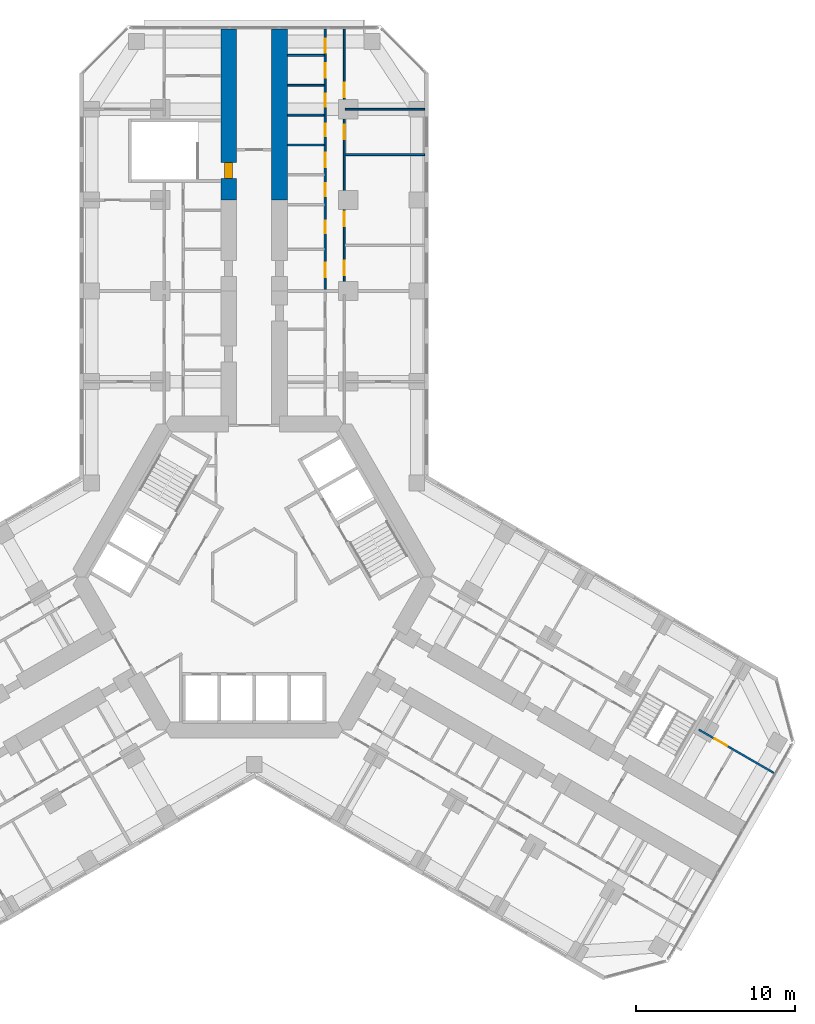
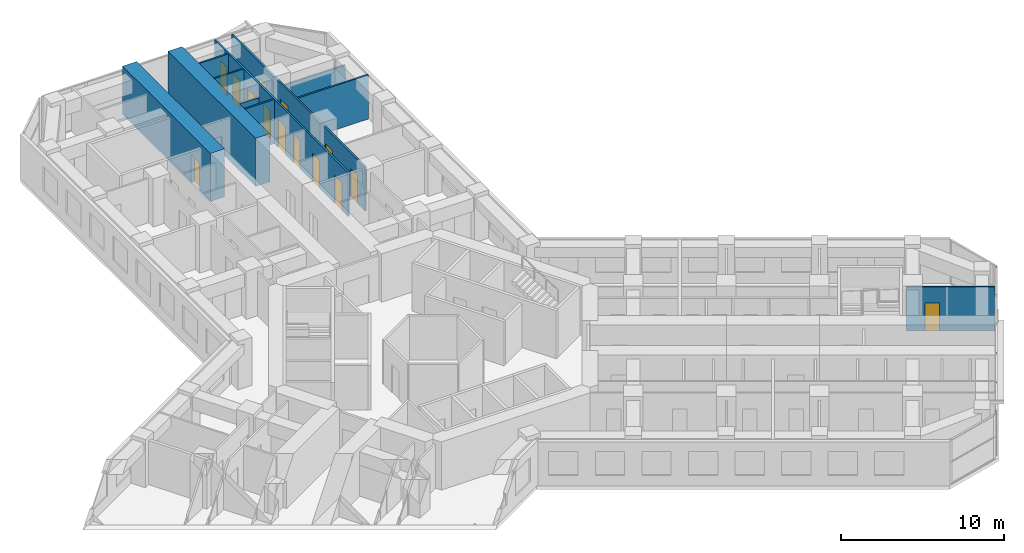
# One storey, part 19 of 21: 14 doors, 11 walls, 14 openings.
"""IFC4 building model written with IfcOpenShell, lengths in metres."""

from ifc_helpers import new_model, si_unit, direction, frame, frame_2d, origin, place, context, subcontext, project, spatial, rectangle, extrude, material, layer, layer_set, type_object, element, fill, save


model = new_model("IFC4")

# Units and contexts
model_context = context("Model", 3, precision=1e-05, world=origin(), true_north=direction((0.0, 1.0)))
body_context = subcontext(model_context, "Body", "Model", "MODEL_VIEW")
ifc_project = project(units=[si_unit("LENGTHUNIT", "METRE"), si_unit("AREAUNIT", "SQUARE_METRE"), si_unit("VOLUMEUNIT", "CUBIC_METRE"), si_unit("PLANEANGLEUNIT", "RADIAN"), si_unit("MASSUNIT", "GRAM", prefix="KILO")], contexts=[model_context])

# Site, building, storey
site_placement = place(None, origin())
site = spatial("IfcSite", under=ifc_project, at=site_placement, CompositionType="ELEMENT")
building_placement = place(site_placement, origin())
building = spatial("IfcBuilding", under=site, at=building_placement, Name="Kosmar Iwan School Tower", CompositionType="ELEMENT")
storey_placement = place(building_placement, frame((0.0, 0.0, 109.60009765625)))
storey = spatial("IfcBuildingStorey", under=building, at=storey_placement, Name="L27", CompositionType="ELEMENT", Elevation=109.60009765625)

# Wall, opening, door
ifc_material_1 = material(Name="Concrete C50/60", Category="concrete")
ifc_layer_1 = layer(ifc_material_1, 1.0)
ifc_layer_set_1 = layer_set([ifc_layer_1], Name="Corridor buttress wall 1000")
wall_type_1 = type_object("IfcWallType", Name="Corridor buttress wall 1000", PredefinedType="SHEAR", material=ifc_layer_set_1)
wall_1_placement = place(storey_placement, frame((-1.60009765625, 23.64990234375, 0.0), z_axis=(0.0, 0.0, 1.0), x_axis=(0.0, 1.0, 0.0)))
wall_1 = element("IfcWall", 1, at=wall_1_placement, inside=storey, type_object=wall_type_1, Name="Corridor wall AL bay 3", PredefinedType="SHEAR", context=body_context, shape_type="SweptSolid", body=[
    extrude(rectangle(XDim=10.7451171875, YDim=1.0, at=frame_2d((5.37255859375, 0.0))), origin(), (0.0, 0.0, 1.0), 3.599853515625),
])
opening_1_placement = place(wall_1_placement, frame((1.35009765625, 0.0, 0.0)))
opening_1 = element("IfcOpeningElement", 2, at=opening_1_placement, cuts=wall_1, Name="Opening D6", PredefinedType="OPENING", context=body_context, shape_type="SweptSolid", body=[
    extrude(rectangle(XDim=1.0, YDim=2.10009765625, at=frame_2d((0.5, 1.050048828125))), frame((0.0, 0.511962890625, 0.0), z_axis=(0.0, -1.0, 0.0), x_axis=(1.0, 0.0, 0.0)), (0.0, 0.0, 1.0), 1.02392578125),
])
ifc_material_2 = material(Name="Steel fire door", Category="steel")
door_type_1 = type_object("IfcDoorType", Name="Stair door 1000x2100", OperationType="SINGLE_SWING_LEFT", PredefinedType="DOOR", material=ifc_material_2)
door_1_placement = place(opening_1_placement, origin())
door_1 = element("IfcDoor", 3, at=door_1_placement, inside=storey, type_object=door_type_1, Name="Stair WS1 door L27", OperationType="SINGLE_SWING_LEFT", OverallHeight=2.10009765625, OverallWidth=1.0, PredefinedType="DOOR", context=body_context, shape_type="SweptSolid", body=[
    extrude(rectangle(XDim=1.0, YDim=2.10009765625, at=frame_2d((0.5, 1.050048828125))), frame((0.0, 0.25, 0.0), z_axis=(0.0, -1.0, 0.0), x_axis=(1.0, 0.0, 0.0)), (0.0, 0.0, 1.0), 0.5),
])
fill(opening_1, door_1)

# Wall
wall_2_placement = place(storey_placement, frame((1.60009765625, 23.64990234375, 0.0), z_axis=(0.0, 0.0, 1.0), x_axis=(0.0, 1.0, 0.0)))
element("IfcWall", 4, at=wall_2_placement, inside=storey, type_object=wall_type_1, Name="Corridor wall AR bay 3", PredefinedType="SHEAR", context=body_context, shape_type="SweptSolid", body=[
    extrude(rectangle(XDim=10.7451171875, YDim=1.0, at=frame_2d((5.37255859375, 0.0))), origin(), (0.0, 0.0, 1.0), 3.599853515625),
])

# Wall, openings, doors
ifc_material_3 = material(Name="Gypsum board on steel studs", Category="steel")
ifc_layer_2 = layer(ifc_material_3, 0.1201171875)
ifc_layer_set_2 = layer_set([ifc_layer_2], Name="Dwelling partition 120")
wall_type_2 = type_object("IfcWallType", Name="Dwelling partition 120", PredefinedType="PARTITIONING", material=ifc_layer_set_2)
wall_3_placement = place(storey_placement, frame((4.449951171875, 18.050048828125, 0.0), z_axis=(0.0, 0.0, 1.0), x_axis=(0.0, 1.0, 0.0)))
wall_3 = element("IfcWall", 5, at=wall_3_placement, inside=storey, type_object=wall_type_2, Name="Partition L27-AR2-W1", PredefinedType="PARTITIONING", context=body_context, shape_type="SweptSolid", body=[
    extrude(rectangle(XDim=16.344970703125, YDim=0.1201171875, at=frame_2d((8.17236328125, 0.0))), origin(), (0.0, 0.0, 1.0), 3.2998046875),
])
opening_2_placement = place(wall_3_placement, frame((0.75, 0.0, 0.0)))
opening_2 = element("IfcOpeningElement", 6, at=opening_2_placement, cuts=wall_3, Name="Opening D2", PredefinedType="OPENING", context=body_context, shape_type="SweptSolid", body=[
    extrude(rectangle(XDim=0.89990234375, YDim=2.10009765625, at=frame_2d((0.449951171875, 1.050048828125))), frame((0.0, 0.072021484375, 0.0), z_axis=(0.0, -1.0, 0.0), x_axis=(1.0, 0.0, 0.0)), (0.0, 0.0, 1.0), 0.14404296875),
])
opening_3_placement = place(wall_3_placement, frame((3.505126953125, 0.0, 0.0)))
opening_3 = element("IfcOpeningElement", 7, at=opening_3_placement, cuts=wall_3, Name="Opening D3", PredefinedType="OPENING", context=body_context, shape_type="SweptSolid", body=[
    extrude(rectangle(XDim=0.800048828125, YDim=2.10009765625, at=frame_2d((0.39990234375, 1.050048828125))), frame((0.0, 0.072021484375, 0.0), z_axis=(0.0, -1.0, 0.0), x_axis=(1.0, 0.0, 0.0)), (0.0, 0.0, 1.0), 0.14404296875),
])
opening_4_placement = place(wall_3_placement, frame((5.8466796875, 0.0, 0.0)))
opening_4 = element("IfcOpeningElement", 8, at=opening_4_placement, cuts=wall_3, Name="Opening D3", PredefinedType="OPENING", context=body_context, shape_type="SweptSolid", body=[
    extrude(rectangle(XDim=0.800048828125, YDim=2.10009765625, at=frame_2d((0.39990234375, 1.050048828125))), frame((0.0, 0.072021484375, 0.0), z_axis=(0.0, -1.0, 0.0), x_axis=(1.0, 0.0, 0.0)), (0.0, 0.0, 1.0), 0.14404296875),
])
opening_5_placement = place(wall_3_placement, frame((7.669921875, 0.0, 0.0)))
opening_5 = element("IfcOpeningElement", 9, at=opening_5_placement, cuts=wall_3, Name="Opening D2", PredefinedType="OPENING", context=body_context, shape_type="SweptSolid", body=[
    extrude(rectangle(XDim=0.89990234375, YDim=2.10009765625, at=frame_2d((0.449951171875, 1.050048828125))), frame((0.0, 0.072021484375, 0.0), z_axis=(0.0, -1.0, 0.0), x_axis=(1.0, 0.0, 0.0)), (0.0, 0.0, 1.0), 0.14404296875),
])
opening_6_placement = place(wall_3_placement, frame((9.59326171875, 0.0, 0.0)))
opening_6 = element("IfcOpeningElement", 10, at=opening_6_placement, cuts=wall_3, Name="Opening D3", PredefinedType="OPENING", context=body_context, shape_type="SweptSolid", body=[
    extrude(rectangle(XDim=0.800048828125, YDim=2.10009765625, at=frame_2d((0.39990234375, 1.050048828125))), frame((0.0, 0.072021484375, 0.0), z_axis=(0.0, -1.0, 0.0), x_axis=(1.0, 0.0, 0.0)), (0.0, 0.0, 1.0), 0.14404296875),
])
opening_7_placement = place(wall_3_placement, frame((11.466796875, 0.0, 0.0)))
opening_7 = element("IfcOpeningElement", 11, at=opening_7_placement, cuts=wall_3, Name="Opening D3", PredefinedType="OPENING", context=body_context, shape_type="SweptSolid", body=[
    extrude(rectangle(XDim=0.800048828125, YDim=2.10009765625, at=frame_2d((0.39990234375, 1.050048828125))), frame((0.0, 0.072021484375, 0.0), z_axis=(0.0, -1.0, 0.0), x_axis=(1.0, 0.0, 0.0)), (0.0, 0.0, 1.0), 0.14404296875),
])
opening_8_placement = place(wall_3_placement, frame((13.2900390625, 0.0, 0.0)))
opening_8 = element("IfcOpeningElement", 12, at=opening_8_placement, cuts=wall_3, Name="Opening D2", PredefinedType="OPENING", context=body_context, shape_type="SweptSolid", body=[
    extrude(rectangle(XDim=0.89990234375, YDim=2.10009765625, at=frame_2d((0.449951171875, 1.050048828125))), frame((0.0, 0.072021484375, 0.0), z_axis=(0.0, -1.0, 0.0), x_axis=(1.0, 0.0, 0.0)), (0.0, 0.0, 1.0), 0.14404296875),
])
opening_9_placement = place(wall_3_placement, frame((14.836669921875, 0.0, 0.0)))
opening_9 = element("IfcOpeningElement", 13, at=opening_9_placement, cuts=wall_3, Name="Opening D2", PredefinedType="OPENING", context=body_context, shape_type="SweptSolid", body=[
    extrude(rectangle(XDim=0.89990234375, YDim=2.10009765625, at=frame_2d((0.449951171875, 1.050048828125))), frame((0.0, 0.072021484375, 0.0), z_axis=(0.0, -1.0, 0.0), x_axis=(1.0, 0.0, 0.0)), (0.0, 0.0, 1.0), 0.14404296875),
])
ifc_material_4 = material(Name="Timber door in timber frame", Category="wood")
door_type_2 = type_object("IfcDoorType", Name="Internal door 900x2100", OperationType="SINGLE_SWING_LEFT", PredefinedType="DOOR", material=ifc_material_4)
door_2_placement = place(opening_2_placement, origin())
door_2 = element("IfcDoor", 14, at=door_2_placement, inside=storey, type_object=door_type_2, Name="Entrance hall door L27-AR2-S1", OperationType="SINGLE_SWING_LEFT", OverallHeight=2.10009765625, OverallWidth=0.89990234375, PredefinedType="DOOR", context=body_context, shape_type="SweptSolid", body=[
    extrude(rectangle(XDim=0.89990234375, YDim=2.10009765625, at=frame_2d((0.449951171875, 1.050048828125))), frame((0.0, 0.02490234375, 0.0), z_axis=(0.0, -1.0, 0.0), x_axis=(1.0, 0.0, 0.0)), (0.0, 0.0, 1.0), 0.050048828125),
])
fill(opening_2, door_2)
door_3_placement = place(opening_5_placement, origin())
door_3 = element("IfcDoor", 15, at=door_3_placement, inside=storey, type_object=door_type_2, Name="Pantry door L27-AR2-S4", OperationType="SINGLE_SWING_RIGHT", OverallHeight=2.10009765625, OverallWidth=0.89990234375, PredefinedType="DOOR", context=body_context, shape_type="SweptSolid", body=[
    extrude(rectangle(XDim=0.89990234375, YDim=2.10009765625, at=frame_2d((0.449951171875, 1.050048828125))), frame((0.0, 0.02490234375, 0.0), z_axis=(0.0, -1.0, 0.0), x_axis=(1.0, 0.0, 0.0)), (0.0, 0.0, 1.0), 0.050048828125),
])
fill(opening_5, door_3)
door_4_placement = place(opening_8_placement, origin())
door_4 = element("IfcDoor", 16, at=door_4_placement, inside=storey, type_object=door_type_2, Name="Utility room door L27-AR2-S7", OperationType="SINGLE_SWING_LEFT", OverallHeight=2.10009765625, OverallWidth=0.89990234375, PredefinedType="DOOR", context=body_context, shape_type="SweptSolid", body=[
    extrude(rectangle(XDim=0.89990234375, YDim=2.10009765625, at=frame_2d((0.449951171875, 1.050048828125))), frame((0.0, 0.02490234375, 0.0), z_axis=(0.0, -1.0, 0.0), x_axis=(1.0, 0.0, 0.0)), (0.0, 0.0, 1.0), 0.050048828125),
])
fill(opening_8, door_4)
door_5_placement = place(opening_9_placement, origin())
door_5 = element("IfcDoor", 17, at=door_5_placement, inside=storey, type_object=door_type_2, Name="Dressing room door L27-AR2-S8", OperationType="SINGLE_SWING_LEFT", OverallHeight=2.10009765625, OverallWidth=0.89990234375, PredefinedType="DOOR", context=body_context, shape_type="SweptSolid", body=[
    extrude(rectangle(XDim=0.89990234375, YDim=2.10009765625, at=frame_2d((0.449951171875, 1.050048828125))), frame((0.0, 0.02490234375, 0.0), z_axis=(0.0, -1.0, 0.0), x_axis=(1.0, 0.0, 0.0)), (0.0, 0.0, 1.0), 0.050048828125),
])
fill(opening_9, door_5)
ifc_material_5 = material(Name="Timber door in timber frame", Category="wood")
door_type_3 = type_object("IfcDoorType", Name="Sanitary room door 800x2100", OperationType="SINGLE_SWING_LEFT", PredefinedType="DOOR", material=ifc_material_5)
door_6_placement = place(opening_3_placement, origin())
door_6 = element("IfcDoor", 18, at=door_6_placement, inside=storey, type_object=door_type_3, Name="Bathroom door L27-AR2-S2", OperationType="SINGLE_SWING_RIGHT", OverallHeight=2.10009765625, OverallWidth=0.800048828125, PredefinedType="DOOR", context=body_context, shape_type="SweptSolid", body=[
    extrude(rectangle(XDim=0.800048828125, YDim=2.10009765625, at=frame_2d((0.39990234375, 1.050048828125))), frame((0.0, 0.02490234375, 0.0), z_axis=(0.0, -1.0, 0.0), x_axis=(1.0, 0.0, 0.0)), (0.0, 0.0, 1.0), 0.050048828125),
])
fill(opening_3, door_6)
door_7_placement = place(opening_4_placement, origin())
door_7 = element("IfcDoor", 19, at=door_7_placement, inside=storey, type_object=door_type_3, Name="Shower room door L27-AR2-S3", OperationType="SINGLE_SWING_LEFT", OverallHeight=2.10009765625, OverallWidth=0.800048828125, PredefinedType="DOOR", context=body_context, shape_type="SweptSolid", body=[
    extrude(rectangle(XDim=0.800048828125, YDim=2.10009765625, at=frame_2d((0.39990234375, 1.050048828125))), frame((0.0, 0.02490234375, 0.0), z_axis=(0.0, -1.0, 0.0), x_axis=(1.0, 0.0, 0.0)), (0.0, 0.0, 1.0), 0.050048828125),
])
fill(opening_4, door_7)
door_8_placement = place(opening_6_placement, origin())
door_8 = element("IfcDoor", 20, at=door_8_placement, inside=storey, type_object=door_type_3, Name="WC door L27-AR2-S5", OperationType="SINGLE_SWING_LEFT", OverallHeight=2.10009765625, OverallWidth=0.800048828125, PredefinedType="DOOR", context=body_context, shape_type="SweptSolid", body=[
    extrude(rectangle(XDim=0.800048828125, YDim=2.10009765625, at=frame_2d((0.39990234375, 1.050048828125))), frame((0.0, 0.02490234375, 0.0), z_axis=(0.0, -1.0, 0.0), x_axis=(1.0, 0.0, 0.0)), (0.0, 0.0, 1.0), 0.050048828125),
])
fill(opening_6, door_8)
door_9_placement = place(opening_7_placement, origin())
door_9 = element("IfcDoor", 21, at=door_9_placement, inside=storey, type_object=door_type_3, Name="Store door L27-AR2-S6", OperationType="SINGLE_SWING_RIGHT", OverallHeight=2.10009765625, OverallWidth=0.800048828125, PredefinedType="DOOR", context=body_context, shape_type="SweptSolid", body=[
    extrude(rectangle(XDim=0.800048828125, YDim=2.10009765625, at=frame_2d((0.39990234375, 1.050048828125))), frame((0.0, 0.02490234375, 0.0), z_axis=(0.0, -1.0, 0.0), x_axis=(1.0, 0.0, 0.0)), (0.0, 0.0, 1.0), 0.050048828125),
])
fill(opening_7, door_9)

wall_4_placement = place(storey_placement, frame((5.64990234375, 18.050048828125, 0.0), z_axis=(0.0, 0.0, 1.0), x_axis=(0.0, 1.0, 0.0)))
wall_4 = element("IfcWall", 22, at=wall_4_placement, inside=storey, type_object=wall_type_2, Name="Partition L27-AR2-W2", PredefinedType="PARTITIONING", context=body_context, shape_type="SweptSolid", body=[
    extrude(rectangle(XDim=16.344970703125, YDim=0.1201171875, at=frame_2d((8.17236328125, 0.0))), origin(), (0.0, 0.0, 1.0), 3.2998046875),
])
opening_10_placement = place(wall_4_placement, frame((0.875, 0.0, 0.0)))
opening_10 = element("IfcOpeningElement", 23, at=opening_10_placement, cuts=wall_4, Name="Opening D2", PredefinedType="OPENING", context=body_context, shape_type="SweptSolid", body=[
    extrude(rectangle(XDim=0.89990234375, YDim=2.10009765625, at=frame_2d((0.449951171875, 1.050048828125))), frame((0.0, 0.072021484375, 0.0), z_axis=(0.0, -1.0, 0.0), x_axis=(1.0, 0.0, 0.0)), (0.0, 0.0, 1.0), 0.14404296875),
])
opening_11_placement = place(wall_4_placement, frame((3.949951171875, 0.0, 0.0)))
opening_11 = element("IfcOpeningElement", 24, at=opening_11_placement, cuts=wall_4, Name="Opening D2", PredefinedType="OPENING", context=body_context, shape_type="SweptSolid", body=[
    extrude(rectangle(XDim=0.89990234375, YDim=2.10009765625, at=frame_2d((0.449951171875, 1.050048828125))), frame((0.0, 0.072021484375, 0.0), z_axis=(0.0, -1.0, 0.0), x_axis=(1.0, 0.0, 0.0)), (0.0, 0.0, 1.0), 0.14404296875),
])
opening_12_placement = place(wall_4_placement, frame((9.425048828125, 0.0, 0.0)))
opening_12 = element("IfcOpeningElement", 25, at=opening_12_placement, cuts=wall_4, Name="Opening D2", PredefinedType="OPENING", context=body_context, shape_type="SweptSolid", body=[
    extrude(rectangle(XDim=0.89990234375, YDim=2.10009765625, at=frame_2d((0.449951171875, 1.050048828125))), frame((0.0, 0.072021484375, 0.0), z_axis=(0.0, -1.0, 0.0), x_axis=(1.0, 0.0, 0.0)), (0.0, 0.0, 1.0), 0.14404296875),
])
opening_13_placement = place(wall_4_placement, frame((12.050048828125, 0.0, 0.0)))
opening_13 = element("IfcOpeningElement", 26, at=opening_13_placement, cuts=wall_4, Name="Opening D2", PredefinedType="OPENING", context=body_context, shape_type="SweptSolid", body=[
    extrude(rectangle(XDim=0.89990234375, YDim=2.10009765625, at=frame_2d((0.449951171875, 1.050048828125))), frame((0.0, 0.072021484375, 0.0), z_axis=(0.0, -1.0, 0.0), x_axis=(1.0, 0.0, 0.0)), (0.0, 0.0, 1.0), 0.14404296875),
])
door_10_placement = place(opening_10_placement, origin())
door_10 = element("IfcDoor", 27, at=door_10_placement, inside=storey, type_object=door_type_2, Name="Bedroom 1 door L27-AR2-F1", OperationType="SINGLE_SWING_LEFT", OverallHeight=2.10009765625, OverallWidth=0.89990234375, PredefinedType="DOOR", context=body_context, shape_type="SweptSolid", body=[
    extrude(rectangle(XDim=0.89990234375, YDim=2.10009765625, at=frame_2d((0.449951171875, 1.050048828125))), frame((0.0, 0.02490234375, 0.0), z_axis=(0.0, -1.0, 0.0), x_axis=(1.0, 0.0, 0.0)), (0.0, 0.0, 1.0), 0.050048828125),
])
fill(opening_10, door_10)
door_11_placement = place(opening_11_placement, origin())
door_11 = element("IfcDoor", 28, at=door_11_placement, inside=storey, type_object=door_type_2, Name="Living room and kitchen door L27-AR2-F2", OperationType="SINGLE_SWING_LEFT", OverallHeight=2.10009765625, OverallWidth=0.89990234375, PredefinedType="DOOR", context=body_context, shape_type="SweptSolid", body=[
    extrude(rectangle(XDim=0.89990234375, YDim=2.10009765625, at=frame_2d((0.449951171875, 1.050048828125))), frame((0.0, 0.02490234375, 0.0), z_axis=(0.0, -1.0, 0.0), x_axis=(1.0, 0.0, 0.0)), (0.0, 0.0, 1.0), 0.050048828125),
])
fill(opening_11, door_11)
door_12_placement = place(opening_12_placement, origin())
door_12 = element("IfcDoor", 29, at=door_12_placement, inside=storey, type_object=door_type_2, Name="Winter garden door L27-AR2-F3", OperationType="SINGLE_SWING_RIGHT", OverallHeight=2.10009765625, OverallWidth=0.89990234375, PredefinedType="DOOR", context=body_context, shape_type="SweptSolid", body=[
    extrude(rectangle(XDim=0.89990234375, YDim=2.10009765625, at=frame_2d((0.449951171875, 1.050048828125))), frame((0.0, 0.02490234375, 0.0), z_axis=(0.0, -1.0, 0.0), x_axis=(1.0, 0.0, 0.0)), (0.0, 0.0, 1.0), 0.050048828125),
])
fill(opening_12, door_12)
door_13_placement = place(opening_13_placement, origin())
door_13 = element("IfcDoor", 30, at=door_13_placement, inside=storey, type_object=door_type_2, Name="Bedroom 2 door L27-AR2-F4", OperationType="SINGLE_SWING_RIGHT", OverallHeight=2.10009765625, OverallWidth=0.89990234375, PredefinedType="DOOR", context=body_context, shape_type="SweptSolid", body=[
    extrude(rectangle(XDim=0.89990234375, YDim=2.10009765625, at=frame_2d((0.449951171875, 1.050048828125))), frame((0.0, 0.02490234375, 0.0), z_axis=(0.0, -1.0, 0.0), x_axis=(1.0, 0.0, 0.0)), (0.0, 0.0, 1.0), 0.050048828125),
])
fill(opening_13, door_13)

# Walls
wall_5_placement = place(storey_placement, frame((5.7099609375, 26.5, 0.0), z_axis=(0.0, 0.0, 1.0), x_axis=(1.0, 0.0, 0.0)))
element("IfcWall", 31, at=wall_5_placement, inside=storey, type_object=wall_type_2, Name="Partition L27-AR2-X2", PredefinedType="PARTITIONING", context=body_context, shape_type="SweptSolid", body=[
    extrude(rectangle(XDim=4.989990234375, YDim=0.1201171875, at=frame_2d((2.4951171875, 0.0))), origin(), (0.0, 0.0, 1.0), 3.2998046875),
])
wall_6_placement = place(storey_placement, frame((5.7099609375, 29.35009765625, 0.0), z_axis=(0.0, 0.0, 1.0), x_axis=(1.0, 0.0, 0.0)))
element("IfcWall", 32, at=wall_6_placement, inside=storey, type_object=wall_type_2, Name="Partition L27-AR2-X3", PredefinedType="PARTITIONING", context=body_context, shape_type="SweptSolid", body=[
    extrude(rectangle(XDim=4.989990234375, YDim=0.1201171875, at=frame_2d((2.4951171875, 0.0))), origin(), (0.0, 0.0, 1.0), 2.2998046875),
])
wall_7_placement = place(storey_placement, frame((2.10009765625, 27.106689453125, 0.0), z_axis=(0.0, 0.0, 1.0), x_axis=(1.0, 0.0, 0.0)))
element("IfcWall", 33, at=wall_7_placement, inside=storey, type_object=wall_type_2, Name="Partition L27-AR2-Y4", PredefinedType="PARTITIONING", context=body_context, shape_type="SweptSolid", body=[
    extrude(rectangle(XDim=2.289794921875, YDim=0.1201171875, at=frame_2d((1.14501953125, 0.0))), origin(), (0.0, 0.0, 1.0), 3.2998046875),
])
wall_8_placement = place(storey_placement, frame((2.10009765625, 28.97998046875, 0.0), z_axis=(0.0, 0.0, 1.0), x_axis=(1.0, 0.0, 0.0)))
element("IfcWall", 34, at=wall_8_placement, inside=storey, type_object=wall_type_2, Name="Partition L27-AR2-Y5", PredefinedType="PARTITIONING", context=body_context, shape_type="SweptSolid", body=[
    extrude(rectangle(XDim=2.289794921875, YDim=0.1201171875, at=frame_2d((1.14501953125, 0.0))), origin(), (0.0, 0.0, 1.0), 2.2998046875),
])
for number, where, z_axis, x_axis, name in (
    (35, (2.10009765625, 30.853271484375, 0.0), (0.0, 0.0, 1.0), (1.0, 0.0, 0.0), "Partition L27-AR2-Y6"),
    (36, (2.10009765625, 32.7265625, 0.0), (0.0, 0.0, 1.0), (1.0, 0.0, 0.0), "Partition L27-AR2-Y7"),
):
    element("IfcWall", number, at=place(storey_placement, frame(where, z_axis=z_axis, x_axis=x_axis)), inside=storey, type_object=wall_type_2, Name=name, PredefinedType="PARTITIONING", context=body_context, shape_type="SweptSolid", body=[
        extrude(rectangle(XDim=2.289794921875, YDim=0.1201171875, at=frame_2d((1.14501953125, 0.0))), origin(), (0.0, 0.0, 1.0), 3.2998046875),
    ])

# Wall, opening, door
wall_9_placement = place(storey_placement, frame((27.896484375, -9.58203125, 0.0), z_axis=(0.0, 0.0, 1.0), x_axis=(0.866035508231, -0.499982498177, 0.0)))
wall_9 = element("IfcWall", 37, at=wall_9_placement, inside=storey, type_object=wall_type_2, Name="Partition L27-CL2-TW", PredefinedType="PARTITIONING", context=body_context, shape_type="SweptSolid", body=[
    extrude(rectangle(XDim=5.445068359375, YDim=0.1201171875, at=frame_2d((2.72265625, 0.0))), origin(), (0.0, 0.0, 1.0), 3.2998046875),
])
opening_14_placement = place(wall_9_placement, frame((1.14990234375, 0.0, 0.0)))
opening_14 = element("IfcOpeningElement", 38, at=opening_14_placement, cuts=wall_9, Name="Opening D2", PredefinedType="OPENING", context=body_context, shape_type="SweptSolid", body=[
    extrude(rectangle(XDim=0.89990234375, YDim=2.10009765625, at=frame_2d((0.449951171875, 1.050048828125))), frame((0.0, 0.072021484375, 0.0), z_axis=(0.0, -1.0, 0.0), x_axis=(1.0, 0.0, 0.0)), (0.0, 0.0, 1.0), 0.14404296875),
])
door_14_placement = place(opening_14_placement, origin())
door_14 = element("IfcDoor", 39, at=door_14_placement, inside=storey, type_object=door_type_2, Name="Dressing room door L27-CL2-T3", OperationType="SINGLE_SWING_LEFT", OverallHeight=2.10009765625, OverallWidth=0.89990234375, PredefinedType="DOOR", context=body_context, shape_type="SweptSolid", body=[
    extrude(rectangle(XDim=0.89990234375, YDim=2.10009765625, at=frame_2d((0.449951171875, 1.050048828125))), frame((0.0, 0.02490234375, 0.0), z_axis=(0.0, -1.0, 0.0), x_axis=(1.0, 0.0, 0.0)), (0.0, 0.0, 1.0), 0.050048828125),
])
fill(opening_14, door_14)

save(model, "model.ifc")
